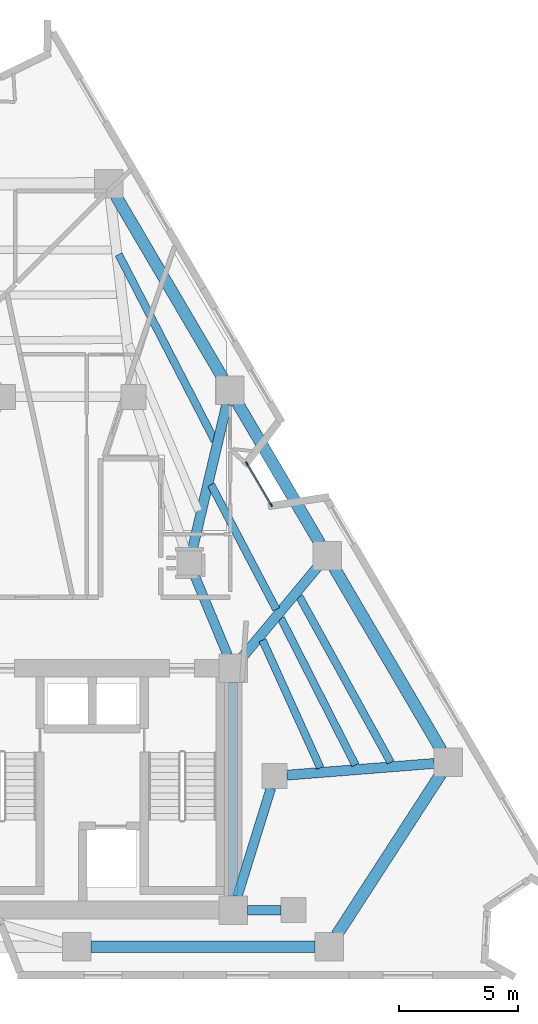
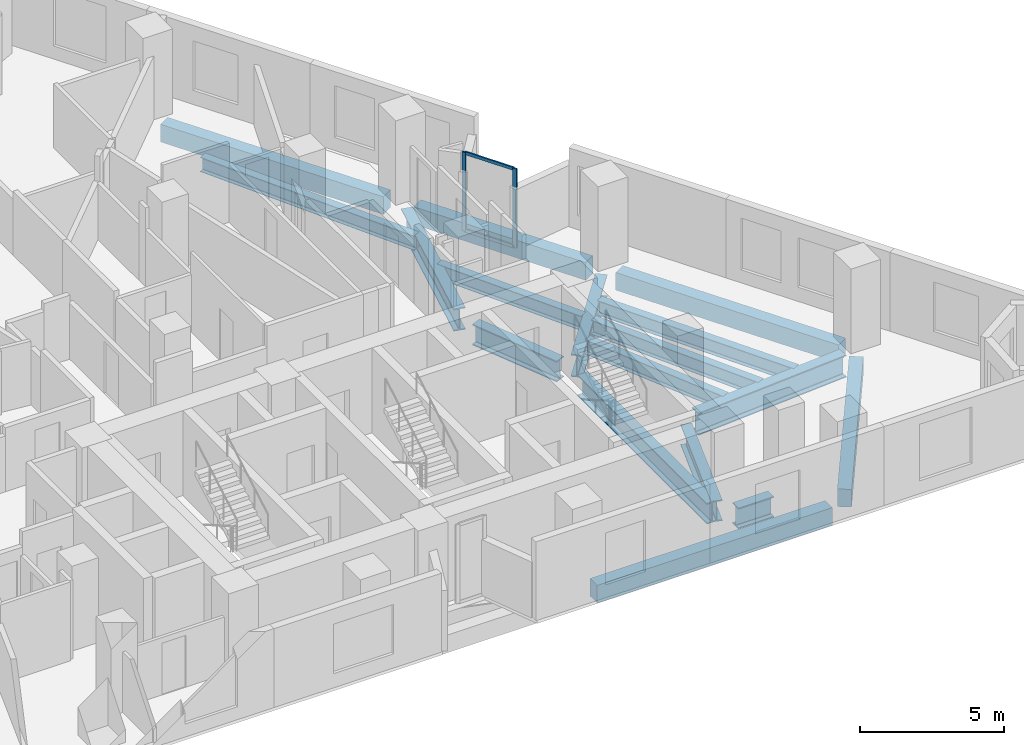
# One storey, part 4 of 12: 17 beams, 4 members, 1 element without a shape of its own.
"""IFC4 building model written with IfcOpenShell, lengths in metres."""

from ifc_helpers import new_model, si_unit, direction, frame, origin, origin_2d, place, context, subcontext, project, spatial, rectangle, i_section, extrude, material, layer, layer_set, material_profile, profile_set, type_object, element, aggregate, save


model = new_model("IFC4")

# Units and contexts
model_context = context("Model", 3, precision=1e-05, world=origin(), true_north=direction((0.0, 1.0)))
body_context = subcontext(model_context, "Body", "Model", "MODEL_VIEW")
ifc_project = project(units=[si_unit("LENGTHUNIT", "METRE"), si_unit("AREAUNIT", "SQUARE_METRE"), si_unit("VOLUMEUNIT", "CUBIC_METRE"), si_unit("PLANEANGLEUNIT", "RADIAN"), si_unit("MASSUNIT", "GRAM", prefix="KILO")], contexts=[model_context])

# Site, building, storey
site_placement = place(None, origin())
site = spatial("IfcSite", under=ifc_project, at=site_placement, CompositionType="ELEMENT")
building_placement = place(site_placement, origin())
building = spatial("IfcBuilding", under=site, at=building_placement, Name="Almagre Mirador Tower", CompositionType="ELEMENT")
storey_placement = place(building_placement, frame((0.0, 0.0, 114.0)))
storey = spatial("IfcBuildingStorey", under=building, at=storey_placement, Name="L28", CompositionType="ELEMENT", Elevation=114.0)

# Beams
ifc_material_1 = material(Name="Steel ASTM A992 Grade 50", Category="steel")
ifc_material_profile_1 = material_profile(ifc_material_1, i_section(OverallWidth=0.323974609375, OverallDepth=0.611083984375, WebThickness=0.0126953125, FlangeThickness=0.01904296875, FilletRadius=0.02001953125, at=origin_2d()), Name="W24X104")
ifc_profile_set_1 = profile_set([ifc_material_profile_1], Name="Steel ASTM A992 Grade 50")
beam_type_1 = type_object("IfcBeamType", Name="BM-JST-W24X104", PredefinedType="JOIST", material=ifc_profile_set_1)
beam_1_placement = place(storey_placement, frame((53.693603515625, 10.783203125, -0.555419921875), z_axis=(-0.482517733723, 0.875886200738, 0.0), x_axis=(-0.875886200738, -0.482517733723, 0.0)))
element("IfcBeam", 1, at=beam_1_placement, inside=storey, type_object=beam_type_1, Name="L28 secondary floor joist PC05-PC06.1", PredefinedType="JOIST", context=body_context, shape_type="SweptSolid", body=[
    extrude(i_section(OverallWidth=0.323974609375, OverallDepth=0.611083984375, WebThickness=0.0126953125, FlangeThickness=0.01904296875, FilletRadius=0.02001953125, at=origin_2d()), origin(), (0.0, 0.0, 1.0), 7.993896484375),
])
beam_2_placement = place(storey_placement, frame((52.208984375, 10.667724609375, -0.555419921875), z_axis=(-0.452785638359, 0.891619406303, 0.0), x_axis=(-0.891619406303, -0.452785638359, 0.0)))
element("IfcBeam", 2, at=beam_2_placement, inside=storey, type_object=beam_type_1, Name="L28 secondary floor joist PC05-PC06.2", PredefinedType="JOIST", context=body_context, shape_type="SweptSolid", body=[
    extrude(i_section(OverallWidth=0.323974609375, OverallDepth=0.611083984375, WebThickness=0.0126953125, FlangeThickness=0.01904296875, FilletRadius=0.02001953125, at=origin_2d()), origin(), (0.0, 0.0, 1.0), 6.947021484375),
])
beam_3_placement = place(storey_placement, frame((50.726806640625, 10.552978515625, -0.555419921875), z_axis=(-0.412539238264, 0.910939831653, 0.0), x_axis=(-0.910939831653, -0.412539238264, 0.0)))
element("IfcBeam", 3, at=beam_3_placement, inside=storey, type_object=beam_type_1, Name="L28 secondary floor joist PC05-PC06.3", PredefinedType="JOIST", context=body_context, shape_type="SweptSolid", body=[
    extrude(i_section(OverallWidth=0.323974609375, OverallDepth=0.611083984375, WebThickness=0.0126953125, FlangeThickness=0.01904296875, FilletRadius=0.02001953125, at=origin_2d()), origin(), (0.0, 0.0, 1.0), 5.911376953125),
])
beam_4_placement = place(storey_placement, frame((48.869384765625, 17.23779296875, -0.555419921875), z_axis=(-0.463750104962, 0.885966049094, 0.0), x_axis=(-0.885966049094, -0.463750104962, 0.0)))
element("IfcBeam", 4, at=beam_4_placement, inside=storey, type_object=beam_type_1, Name="L28 secondary floor joist PC06-PC07.2", PredefinedType="JOIST", context=body_context, shape_type="SweptSolid", body=[
    extrude(i_section(OverallWidth=0.323974609375, OverallDepth=0.611083984375, WebThickness=0.0126953125, FlangeThickness=0.01904296875, FilletRadius=0.02001953125, at=origin_2d()), origin(), (0.0, 0.0, 1.0), 5.930908203125),
])
beam_5_placement = place(storey_placement, frame((46.27392578125, 24.352294921875, -0.555419921875), z_axis=(-0.458369241004, 0.888761857249, 0.0), x_axis=(-0.888761857249, -0.458369241004, 0.0)))
element("IfcBeam", 5, at=beam_5_placement, inside=storey, type_object=beam_type_1, Name="L28 secondary floor joist PC07-PC08.1", PredefinedType="JOIST", context=body_context, shape_type="SweptSolid", body=[
    extrude(i_section(OverallWidth=0.323974609375, OverallDepth=0.611083984375, WebThickness=0.0126953125, FlangeThickness=0.01904296875, FilletRadius=0.02001953125, at=origin_2d()), origin(), (0.0, 0.0, 1.0), 8.840087890625),
])
ifc_material_2 = material(Name="Precast concrete C50/60", Category="concrete")
ifc_material_profile_2 = material_profile(ifc_material_2, rectangle(XDim=0.5, YDim=0.75, at=origin_2d()), Name="RC500X750")
ifc_profile_set_2 = profile_set([ifc_material_profile_2], Name="Precast concrete C50/60")
beam_type_2 = type_object("IfcBeamType", Name="BM-SPN-RC500X750", PredefinedType="SPANDREL", material=ifc_profile_set_2)
beam_6_placement = place(storey_placement, frame((41.055908203125, 3.0, -0.625), z_axis=(1.0, 0.0, 0.0), x_axis=(0.0, 1.0, 0.0)))
element("IfcBeam", 6, at=beam_6_placement, inside=storey, type_object=beam_type_2, Name="L28 perimeter spandrel beam PC03-PC04", PredefinedType="SPANDREL", context=body_context, shape_type="SweptSolid", body=[
    extrude(rectangle(XDim=0.5, YDim=0.75, at=origin_2d()), origin(), (0.0, 0.0, 1.0), 9.440185546875),
])
beam_7_placement = place(storey_placement, frame((51.422119140625, 3.503662109375, -0.625), z_axis=(0.543242499017, 0.839575837707, 0.0), x_axis=(-0.839575837707, 0.543242499017, 0.0)))
element("IfcBeam", 7, at=beam_7_placement, inside=storey, type_object=beam_type_2, Name="L28 perimeter spandrel beam PC04-PC05", PredefinedType="SPANDREL", context=body_context, shape_type="SweptSolid", body=[
    extrude(rectangle(XDim=0.5, YDim=0.75, at=origin_2d()), origin(), (0.0, 0.0, 1.0), 8.071533203125),
])
beam_8_placement = place(storey_placement, frame((55.8291015625, 11.301513671875, -0.625), z_axis=(-0.506318387543, 0.862346618498, 0.0), x_axis=(-0.862346618498, -0.506318387543, 0.0)))
element("IfcBeam", 8, at=beam_8_placement, inside=storey, type_object=beam_type_2, Name="L28 perimeter spandrel beam PC05-PC06", PredefinedType="SPANDREL", context=body_context, shape_type="SweptSolid", body=[
    extrude(rectangle(XDim=0.5, YDim=0.75, at=origin_2d()), origin(), (0.0, 0.0, 1.0), 8.911865234375),
])
beam_9_placement = place(storey_placement, frame((50.709228515625, 20.021484375, -0.625), z_axis=(-0.506343227047, 0.862332033745, 0.0), x_axis=(-0.862332033745, -0.506343227047, 0.0)))
element("IfcBeam", 9, at=beam_9_placement, inside=storey, type_object=beam_type_2, Name="L28 perimeter spandrel beam PC06-PC07", PredefinedType="SPANDREL", context=body_context, shape_type="SweptSolid", body=[
    extrude(rectangle(XDim=0.5, YDim=0.75, at=origin_2d()), origin(), (0.0, 0.0, 1.0), 6.8896484375),
])
beam_10_placement = place(storey_placement, frame((46.61328125, 26.997314453125, -0.625), z_axis=(-0.506326798076, 0.862341680281, 0.0), x_axis=(-0.862341680281, -0.506326798076, 0.0)))
element("IfcBeam", 10, at=beam_10_placement, inside=storey, type_object=beam_type_2, Name="L28 perimeter spandrel beam PC07-PC08", PredefinedType="SPANDREL", context=body_context, shape_type="SweptSolid", body=[
    extrude(rectangle(XDim=0.5, YDim=0.75, at=origin_2d()), origin(), (0.0, 0.0, 1.0), 8.912109375),
])
ifc_material_3 = material(Name="Steel ASTM A992 Grade 50", Category="steel")
ifc_material_profile_3 = material_profile(ifc_material_3, i_section(OverallWidth=0.404052734375, OverallDepth=0.884033203125, WebThickness=0.0244140625, FlangeThickness=0.0439453125, FilletRadius=0.02490234375, at=origin_2d()), Name="W33X291")
ifc_profile_set_3 = profile_set([ifc_material_profile_3], Name="Steel ASTM A992 Grade 50")
beam_type_3 = type_object("IfcBeamType", Name="BM-STL-W33X291", PredefinedType="BEAM", material=ifc_profile_set_3)
beam_11_placement = place(storey_placement, frame((47.050048828125, 5.14990234375, -0.69189453125), z_axis=(0.0, 1.0, 0.0), x_axis=(-1.0, 0.0, 0.0)))
element("IfcBeam", 11, at=beam_11_placement, inside=storey, type_object=beam_type_3, Name="L28 core tie girder CC3-CC6", PredefinedType="BEAM", context=body_context, shape_type="SweptSolid", body=[
    extrude(i_section(OverallWidth=0.404052734375, OverallDepth=0.884033203125, WebThickness=0.0244140625, FlangeThickness=0.0439453125, FilletRadius=0.02490234375, at=origin_2d()), origin(), (0.0, 0.0, 1.0), 9.0),
])
beam_12_placement = place(storey_placement, frame((49.074951171875, 4.550048828125, -0.69189453125), z_axis=(-1.0, 0.0, 0.0), x_axis=(0.0, -1.0, 0.0)))
element("IfcBeam", 12, at=beam_12_placement, inside=storey, type_object=beam_type_3, Name="L28 core tie girder MC2-CC3", PredefinedType="BEAM", context=body_context, shape_type="SweptSolid", body=[
    extrude(i_section(OverallWidth=0.404052734375, OverallDepth=0.884033203125, WebThickness=0.0244140625, FlangeThickness=0.0439453125, FilletRadius=0.02490234375, at=origin_2d()), origin(), (0.0, 0.0, 1.0), 1.425048828125),
])
beam_13_placement = place(storey_placement, frame((48.644775390625, 9.698486328125, -0.69189453125), z_axis=(-0.295879743348, -0.955225197258, 0.0), x_axis=(0.955225197258, -0.295879743348, 0.0)))
element("IfcBeam", 13, at=beam_13_placement, inside=storey, type_object=beam_type_3, Name="L28 core tie girder MC3-CC3", PredefinedType="BEAM", context=body_context, shape_type="SweptSolid", body=[
    extrude(i_section(OverallWidth=0.404052734375, OverallDepth=0.884033203125, WebThickness=0.0244140625, FlangeThickness=0.0439453125, FilletRadius=0.02490234375, at=origin_2d()), origin(), (0.0, 0.0, 1.0), 4.789794921875),
])
beam_14_placement = place(storey_placement, frame((45.401611328125, 18.715087890625, -0.69189453125), z_axis=(0.383845645019, -0.923397271384, 0.0), x_axis=(0.923397271384, 0.383845645019, 0.0)))
element("IfcBeam", 14, at=beam_14_placement, inside=storey, type_object=beam_type_3, Name="L28 core tie girder MC5-CC6", PredefinedType="BEAM", context=body_context, shape_type="SweptSolid", body=[
    extrude(i_section(OverallWidth=0.404052734375, OverallDepth=0.884033203125, WebThickness=0.0244140625, FlangeThickness=0.0439453125, FilletRadius=0.02490234375, at=origin_2d()), origin(), (0.0, 0.0, 1.0), 3.694091796875),
])
ifc_material_4 = material(Name="Steel ASTM A992 Grade 50", Category="steel")
ifc_material_profile_4 = material_profile(ifc_material_4, i_section(OverallWidth=0.423095703125, OverallDepth=0.947998046875, WebThickness=0.02392578125, FlangeThickness=0.042724609375, FilletRadius=0.028076171875, at=origin_2d()), Name="W36X302")
ifc_profile_set_4 = profile_set([ifc_material_profile_4], Name="Steel ASTM A992 Grade 50")
beam_type_4 = type_object("IfcBeamType", Name="BM-STL-W36X302", PredefinedType="BEAM", material=ifc_profile_set_4)
beam_15_placement = place(storey_placement, frame((55.534912109375, 10.736328125, -0.72412109375), z_axis=(-0.996844611006, -0.079377714181, 0.0), x_axis=(0.079377714181, -0.996844611006, 0.0)))
element("IfcBeam", 15, at=beam_15_placement, inside=storey, type_object=beam_type_4, Name="L28 radial floor girder PC05-MC3", PredefinedType="BEAM", context=body_context, shape_type="SweptSolid", body=[
    extrude(i_section(OverallWidth=0.423095703125, OverallDepth=0.947998046875, WebThickness=0.02392578125, FlangeThickness=0.042724609375, FilletRadius=0.028076171875, at=origin_2d()), origin(), (0.0, 0.0, 1.0), 6.2314453125),
])
beam_16_placement = place(storey_placement, frame((50.62890625, 19.043212890625, -0.72412109375), z_axis=(-0.640333592282, -0.768096927865, 0.0), x_axis=(0.768096927865, -0.640333592282, 0.0)))
element("IfcBeam", 16, at=beam_16_placement, inside=storey, type_object=beam_type_4, Name="L28 radial floor girder PC06-CC6", PredefinedType="BEAM", context=body_context, shape_type="SweptSolid", body=[
    extrude(i_section(OverallWidth=0.423095703125, OverallDepth=0.947998046875, WebThickness=0.02392578125, FlangeThickness=0.042724609375, FilletRadius=0.028076171875, at=origin_2d()), origin(), (0.0, 0.0, 1.0), 4.9892578125),
])
beam_17_placement = place(storey_placement, frame((46.779296875, 25.89599609375, -0.72412109375), z_axis=(-0.229551088102, -0.973296613552, 0.0), x_axis=(0.973296613552, -0.229551088102, 0.0)))
element("IfcBeam", 17, at=beam_17_placement, inside=storey, type_object=beam_type_4, Name="L28 radial floor girder PC07-MC5", PredefinedType="BEAM", context=body_context, shape_type="SweptSolid", body=[
    extrude(i_section(OverallWidth=0.423095703125, OverallDepth=0.947998046875, WebThickness=0.02392578125, FlangeThickness=0.042724609375, FilletRadius=0.028076171875, at=origin_2d()), origin(), (0.0, 0.0, 1.0), 6.354736328125),
])

# Curtain wall, members
ifc_material_5 = material(Name="Black anodized aluminium", Category="aluminium")
ifc_layer = layer(ifc_material_5, 0.169921875)
ifc_layer_set = layer_set([ifc_layer], Name="Black anodized aluminium")
curtain_wall_type = type_object("IfcCurtainWallType", Name="CW-CRS-SYS", PredefinedType="NOTDEFINED", material=ifc_layer_set)
curtain_wall_placement = place(storey_placement, origin())
curtain_wall = element("IfcCurtainWall", 18, at=curtain_wall_placement, inside=storey, type_object=curtain_wall_type, Name="L28 vertical crease curtain wall 03", PredefinedType="NOTDEFINED")
ifc_material_6 = material(Name="Black anodized aluminium", Category="aluminium")
ifc_material_profile_5 = material_profile(ifc_material_6, rectangle(XDim=0.06005859375, YDim=0.14990234375, at=origin_2d()), Name="CWM60X150")
ifc_profile_set_5 = profile_set([ifc_material_profile_5], Name="Black anodized aluminium")
member_type_1 = type_object("IfcMemberType", Name="MBR-CWM60X150", PredefinedType="MULLION", material=ifc_profile_set_5)
member_1_placement = place(storey_placement, frame((47.632080078125, 23.38720703125, 0.0), z_axis=(0.0, 0.0, 1.0), x_axis=(0.862474794745, 0.506100018207, 0.0)))
member_1 = element("IfcMember", 19, at=member_1_placement, type_object=member_type_1, Name="CW-4 mullion 1", PredefinedType="MULLION", context=body_context, shape_type="SweptSolid", body=[
    extrude(rectangle(XDim=0.06005859375, YDim=0.14990234375, at=origin_2d()), origin(), (0.0, 0.0, 1.0), 3.35009765625),
])
member_2_placement = place(storey_placement, frame((48.659912109375, 21.635986328125, 0.0), z_axis=(0.0, 0.0, 1.0), x_axis=(0.862474794745, 0.506100018207, 0.0)))
member_2 = element("IfcMember", 20, at=member_2_placement, type_object=member_type_1, Name="CW-4 mullion 2", PredefinedType="MULLION", context=body_context, shape_type="SweptSolid", body=[
    extrude(rectangle(XDim=0.06005859375, YDim=0.14990234375, at=origin_2d()), origin(), (0.0, 0.0, 1.0), 3.35009765625),
])
ifc_material_7 = material(Name="Black anodized aluminium", Category="aluminium")
ifc_material_profile_6 = material_profile(ifc_material_7, rectangle(XDim=0.06005859375, YDim=0.1298828125, at=origin_2d()), Name="CWT60X130")
ifc_profile_set_6 = profile_set([ifc_material_profile_6], Name="Black anodized aluminium")
member_type_2 = type_object("IfcMemberType", Name="MBR-CWT60X130", PredefinedType="USERDEFINED", material=ifc_profile_set_6)
member_3_placement = place(storey_placement, frame((47.6474609375, 23.361328125, 0.030029296875), z_axis=(0.506034276354, -0.862513368682, 0.0), x_axis=(0.862513368682, 0.506034276354, 0.0)))
member_3 = element("IfcMember", 21, at=member_3_placement, type_object=member_type_2, Name="CW-4 transom 1.1", ObjectType="TRANSOM", PredefinedType="USERDEFINED", context=body_context, shape_type="SweptSolid", body=[
    extrude(rectangle(XDim=0.06005859375, YDim=0.1298828125, at=origin_2d()), origin(), (0.0, 0.0, 1.0), 1.970458984375),
])
member_4_placement = place(storey_placement, frame((47.6474609375, 23.361328125, 3.320068359375), z_axis=(0.506034276354, -0.862513368682, 0.0), x_axis=(0.862513368682, 0.506034276354, 0.0)))
member_4 = element("IfcMember", 22, at=member_4_placement, type_object=member_type_2, Name="CW-4 transom 1.2", ObjectType="TRANSOM", PredefinedType="USERDEFINED", context=body_context, shape_type="SweptSolid", body=[
    extrude(rectangle(XDim=0.06005859375, YDim=0.1298828125, at=origin_2d()), origin(), (0.0, 0.0, 1.0), 1.970458984375),
])
aggregate(curtain_wall, [member_1, member_2, member_3, member_4])

save(model, "model.ifc")
